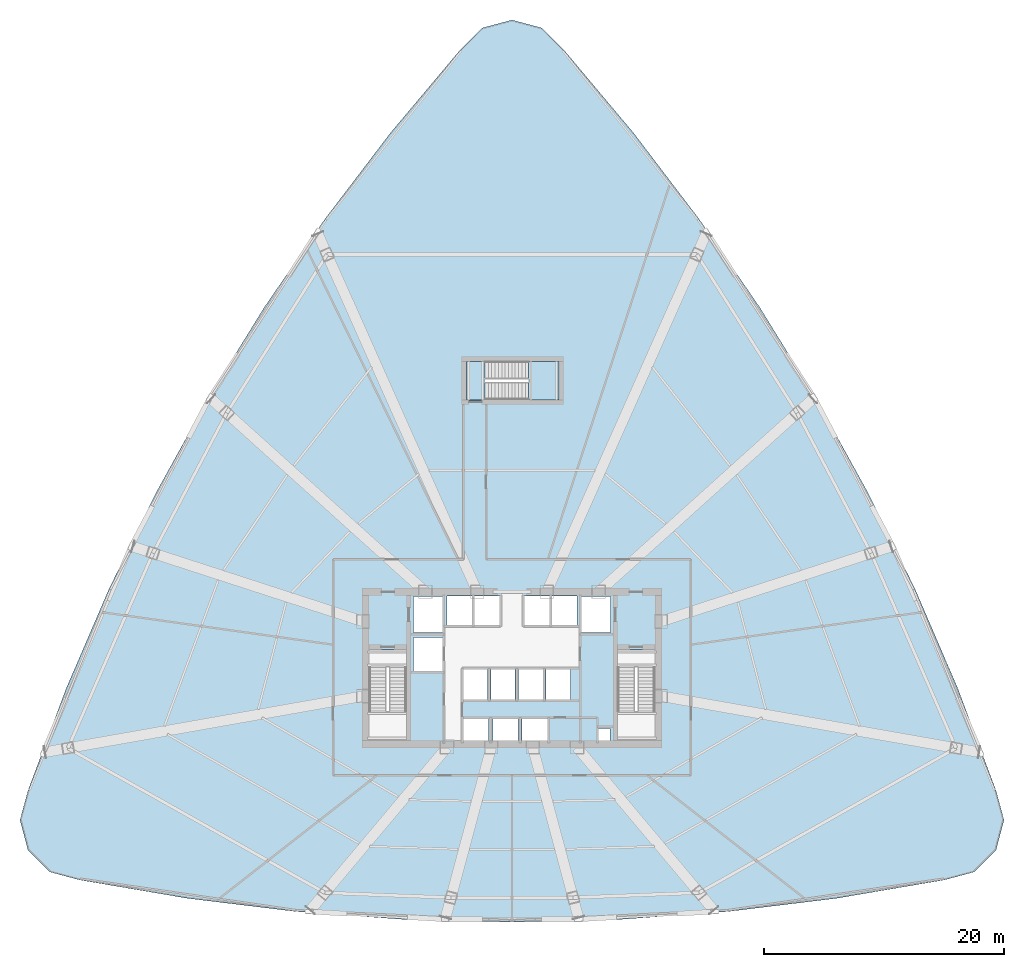
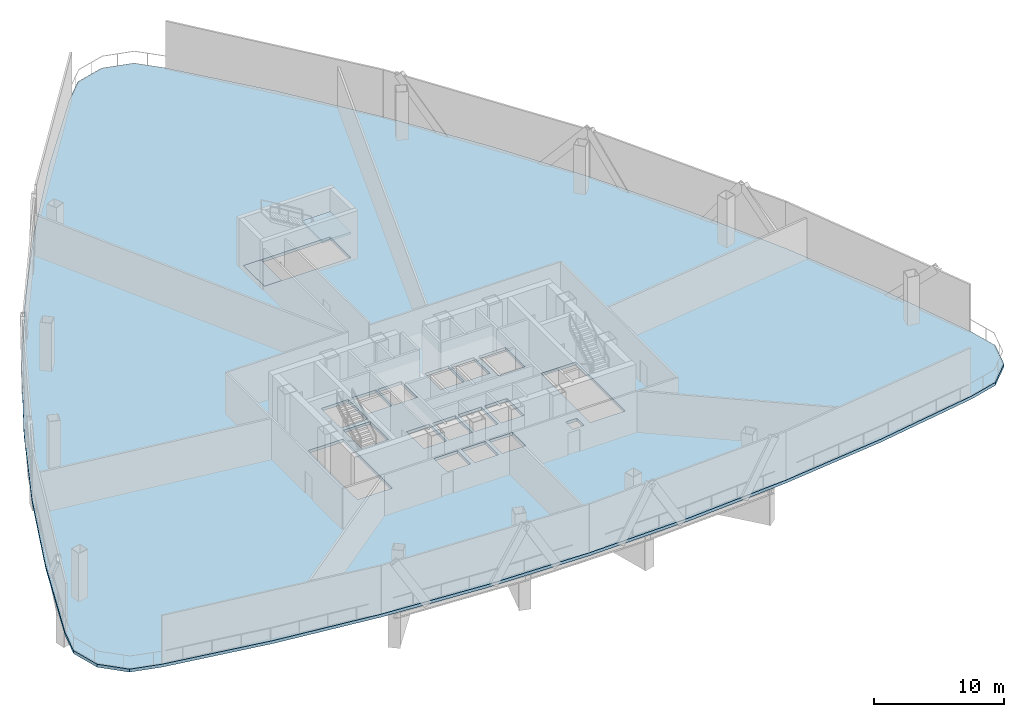
# One storey, part 5 of 15: 3 slabs, 1 element without a shape of its own.
"""IFC4 building model written with IfcOpenShell, lengths in metres."""

from ifc_helpers import new_model, si_unit, direction, frame, origin, place, context, subcontext, project, spatial, polyline, outline, extrude, material, layer, layer_set, type_object, element, aggregate, save


model = new_model("IFC4")

# Units and contexts
model_context = context("Model", 3, precision=1e-05, world=origin(), true_north=direction((0.0, 1.0)))
body_context = subcontext(model_context, "Body", "Model", "MODEL_VIEW")
ifc_project = project(units=[si_unit("LENGTHUNIT", "METRE"), si_unit("AREAUNIT", "SQUARE_METRE"), si_unit("VOLUMEUNIT", "CUBIC_METRE"), si_unit("PLANEANGLEUNIT", "RADIAN"), si_unit("MASSUNIT", "GRAM", prefix="KILO"), si_unit("THERMODYNAMICTEMPERATUREUNIT", "KELVIN"), si_unit("POWERUNIT", "WATT")], contexts=[model_context])

# Site, building, storey
site_placement = place(None, origin())
site = spatial("IfcSite", under=ifc_project, at=site_placement, CompositionType="ELEMENT")
building_placement = place(site_placement, origin())
building = spatial("IfcBuilding", under=site, at=building_placement, Name="Yunzhuo Pagoda Commons", CompositionType="ELEMENT")
storey_placement = place(building_placement, frame((0.0, 0.0, 125.030029296875)))
storey = spatial("IfcBuildingStorey", under=building, at=storey_placement, Name="L31", CompositionType="ELEMENT", Elevation=125.030029296875)

# Stair, slabs
ifc_material = material(Name="Concrete C40", Category="concrete")
stair_type = type_object("IfcStairType", Name="ST-C3 North Tower Smokeproof Stair ST3", PredefinedType="HALF_TURN_STAIR", material=ifc_material)
stair_placement = place(storey_placement, origin())
stair = element("IfcStair", 1, at=stair_placement, inside=storey, type_object=stair_type, Name="L31 North tower smokeproof stair ST3", PredefinedType="HALF_TURN_STAIR")
ifc_layer_1 = layer(ifc_material, 0.2041015625)
ifc_layer_set_1 = layer_set([ifc_layer_1], Name="Concrete C40")
slab_type_1 = type_object("IfcSlabType", Name="SL-LND5 North Landing Slab 204", PredefinedType="LANDING", material=ifc_layer_set_1)
slab_1_placement = place(storey_placement, frame((0.0, 0.0, 2.199951171875)))
slab_1 = element("IfcSlab", 2, at=slab_1_placement, type_object=slab_type_1, Name="ST3 landing 1", PredefinedType="LANDING", context=body_context, shape_type="SweptSolid", body=[
    extrude(outline(polyline([(49.389892578125, 56.199951171875), (51.89990234375, 56.199951171875), (51.89990234375, 59.39990234375), (49.389892578125, 59.39990234375), (49.389892578125, 56.199951171875)])), origin(), (0.0, 0.0, 1.0), 0.199951171875),
])
slab_2_placement = place(storey_placement, frame((0.0, 0.0, -0.199951171875)))
slab_2 = element("IfcSlab", 3, at=slab_2_placement, type_object=slab_type_1, Name="ST3 floor landing L31", PredefinedType="LANDING", context=body_context, shape_type="SweptSolid", body=[
    extrude(outline(polyline([(44.199951171875, 56.199951171875), (45.75, 56.199951171875), (45.75, 59.39990234375), (44.199951171875, 59.39990234375), (44.199951171875, 56.199951171875)])), origin(), (0.0, 0.0, 1.0), 0.199951171875),
])
aggregate(stair, [slab_1, slab_2])

# Slab
ifc_layer_2 = layer(ifc_material, 0.280029296875)
ifc_layer_set_2 = layer_set([ifc_layer_2], Name="Concrete C40")
slab_type_2 = type_object("IfcSlabType", Name="SL-POD Podium & Refuge Floor Slab 280", PredefinedType="FLOOR", material=ifc_layer_set_2)
slab_3_placement = place(storey_placement, frame((0.0, 0.0, -0.280029296875)))
element("IfcSlab", 4, at=slab_3_placement, inside=storey, type_object=slab_type_2, Name="L31 structural floor slab", PredefinedType="FLOOR", context=body_context, shape_type="SweptSolid", body=[
    extrude(outline(polyline([(10.864013671875, 32.16552734375), (14.41943359375, 40.42919921875), (18.353515625, 48.47216796875), (22.665771484375, 56.294189453125), (27.3564453125, 63.895263671875), (32.425537109375, 71.275390625), (37.872802734375, 78.434814453125), (43.69873046875, 85.37353515625), (45.52001953125, 87.181884765625), (48.0, 87.84326171875), (50.47998046875, 87.181884765625), (52.30126953125, 85.37353515625), (58.127197265625, 78.434814453125), (63.574462890625, 71.275390625), (68.6435546875, 63.895263671875), (73.334228515625, 56.294189453125), (77.646484375, 48.47216796875), (81.58056640625, 40.42919921875), (85.135986328125, 32.16552734375), (88.3134765625, 23.680908203125), (88.99267578125, 21.18798828125), (88.331298828125, 18.690185546875), (86.507568359375, 16.85986328125), (84.01220703125, 16.189697265625), (75.009033203125, 14.65625), (66.006103515625, 13.56103515625), (57.0029296875, 12.90380859375), (48.0, 12.684814453125), (38.9970703125, 12.90380859375), (29.993896484375, 13.56103515625), (20.990966796875, 14.65625), (11.98779296875, 16.189697265625), (9.492431640625, 16.85986328125), (7.668701171875, 18.690185546875), (7.00732421875, 21.18798828125), (7.6865234375, 23.680908203125), (10.864013671875, 32.16552734375)]), holes=[polyline([(46.050048828125, 27.60009765625), (46.050048828125, 29.64990234375), (43.949951171875, 29.64990234375), (43.949951171875, 27.60009765625), (46.050048828125, 27.60009765625)]), polyline([(48.5, 27.60009765625), (48.5, 29.64990234375), (46.39990234375, 29.64990234375), (46.39990234375, 27.60009765625), (48.5, 27.60009765625)]), polyline([(36.10009765625, 27.800048828125), (39.199951171875, 27.800048828125), (39.199951171875, 35.39990234375), (36.10009765625, 35.39990234375), (36.10009765625, 27.800048828125)]), polyline([(45.969970703125, 31.199951171875), (45.969970703125, 33.800048828125), (43.929931640625, 33.800048828125), (43.929931640625, 31.199951171875), (45.969970703125, 31.199951171875)]), polyline([(48.27001953125, 31.199951171875), (48.27001953125, 33.800048828125), (46.22998046875, 33.800048828125), (46.22998046875, 31.199951171875), (48.27001953125, 31.199951171875)]), polyline([(42.199951171875, 33.60009765625), (42.199951171875, 36.39990234375), (39.800048828125, 36.39990234375), (39.800048828125, 33.60009765625), (42.199951171875, 33.60009765625)]), polyline([(42.199951171875, 36.800048828125), (42.199951171875, 39.800048828125), (39.800048828125, 39.800048828125), (39.800048828125, 36.800048828125), (42.199951171875, 36.800048828125)]), polyline([(42.60009765625, 37.39990234375), (44.699951171875, 37.39990234375), (44.699951171875, 39.85009765625), (42.60009765625, 39.85009765625), (42.60009765625, 37.39990234375)]), polyline([(44.85009765625, 37.39990234375), (46.949951171875, 37.39990234375), (46.949951171875, 39.85009765625), (44.85009765625, 39.85009765625), (44.85009765625, 37.39990234375)]), polyline([(56.179931640625, 27.699951171875), (56.179931640625, 28.800048828125), (55.179931640625, 28.800048828125), (55.179931640625, 27.699951171875), (56.179931640625, 27.699951171875)]), polyline([(50.949951171875, 27.60009765625), (50.949951171875, 29.64990234375), (48.85009765625, 29.64990234375), (48.85009765625, 27.60009765625), (50.949951171875, 27.60009765625)]), polyline([(56.800048828125, 27.800048828125), (59.89990234375, 27.800048828125), (59.89990234375, 35.39990234375), (56.800048828125, 35.39990234375), (56.800048828125, 27.800048828125)]), polyline([(50.570068359375, 31.199951171875), (50.570068359375, 33.800048828125), (48.530029296875, 33.800048828125), (48.530029296875, 31.199951171875), (50.570068359375, 31.199951171875)]), polyline([(52.8701171875, 31.199951171875), (52.8701171875, 33.800048828125), (50.830078125, 33.800048828125), (50.830078125, 31.199951171875), (52.8701171875, 31.199951171875)]), polyline([(56.199951171875, 36.800048828125), (56.199951171875, 39.800048828125), (53.800048828125, 39.800048828125), (53.800048828125, 36.800048828125), (56.199951171875, 36.800048828125)]), polyline([(51.14990234375, 37.39990234375), (51.14990234375, 39.85009765625), (49.050048828125, 39.85009765625), (49.050048828125, 37.39990234375), (51.14990234375, 37.39990234375)]), polyline([(51.300048828125, 37.39990234375), (53.39990234375, 37.39990234375), (53.39990234375, 39.85009765625), (51.300048828125, 39.85009765625), (51.300048828125, 37.39990234375)]), polyline([(44.199951171875, 56.199951171875), (51.89990234375, 56.199951171875), (51.89990234375, 59.39990234375), (44.199951171875, 59.39990234375), (44.199951171875, 56.199951171875)])]), origin(), (0.0, 0.0, 1.0), 0.280029296875),
])

save(model, "model.ifc")
